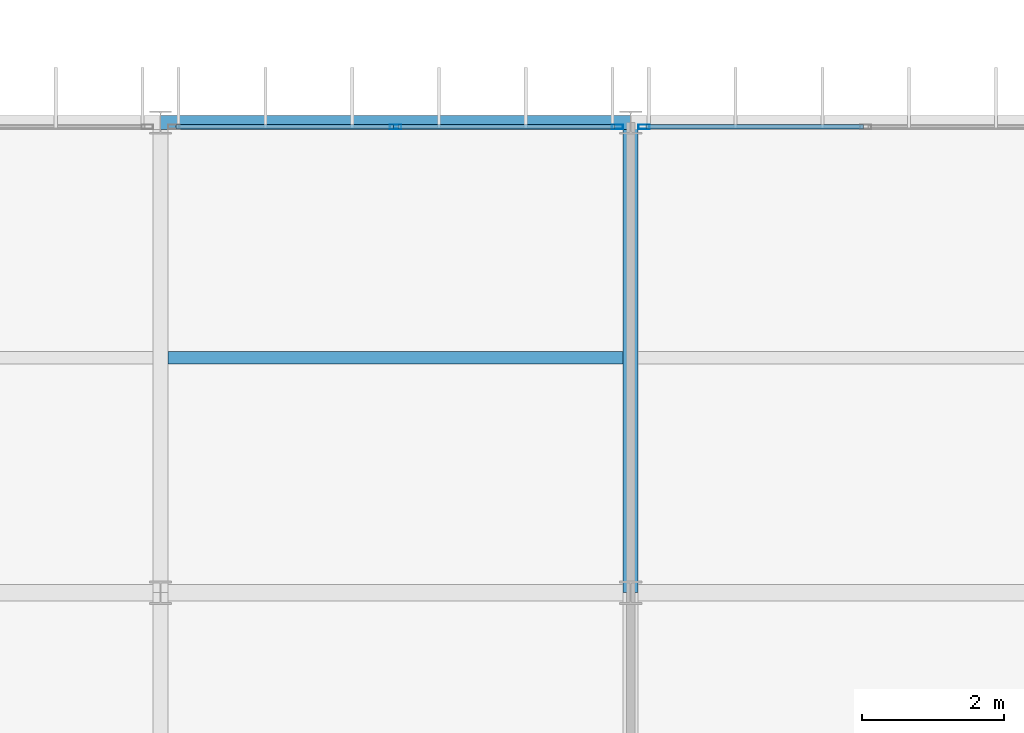
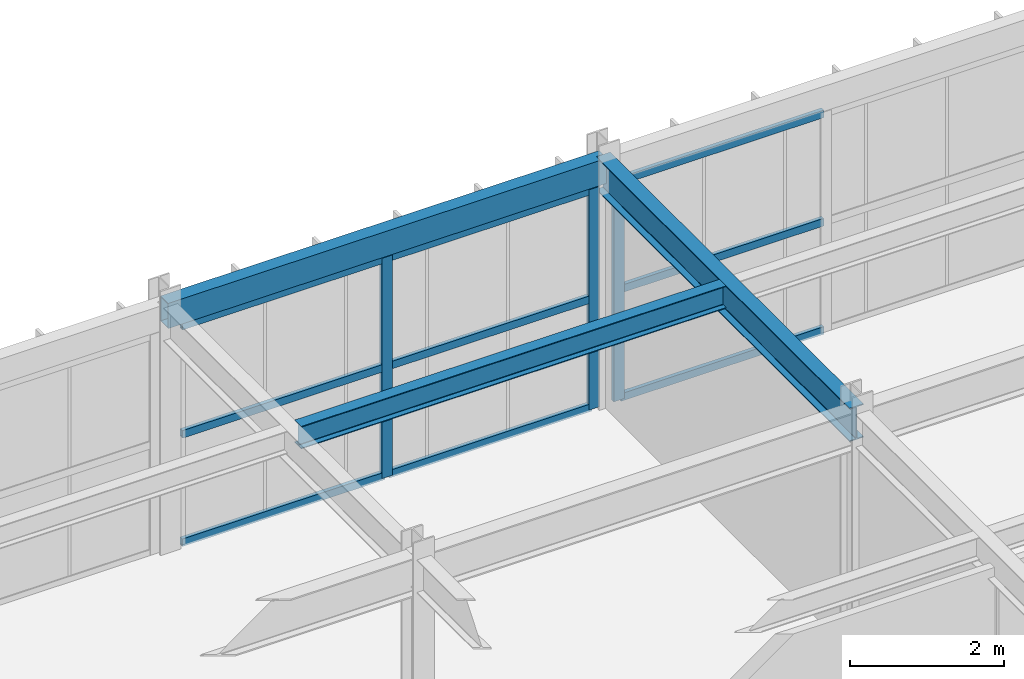
# One storey, part 53 of 130: 12 members, 3 beams, 2 elements without a shape of their own.
"""IFC4 building model written with IfcOpenShell, lengths in metres."""

from ifc_helpers import new_model, si_unit, direction, frame, origin, origin_2d, place, context, subcontext, project, spatial, hollow_rectangle, i_section, extrude, material, material_profile, profile_set, type_object, element, aggregate, save


model = new_model("IFC4")

# Units and contexts
model_context = context("Model", 3, precision=1e-05, world=origin(), true_north=direction((0.0, 1.0)))
body_context = subcontext(model_context, "Body", "Model", "MODEL_VIEW")
ifc_project = project(units=[si_unit("LENGTHUNIT", "METRE"), si_unit("AREAUNIT", "SQUARE_METRE"), si_unit("VOLUMEUNIT", "CUBIC_METRE"), si_unit("PLANEANGLEUNIT", "RADIAN"), si_unit("MASSUNIT", "GRAM", prefix="KILO")], contexts=[model_context])

# Site, building, storey
site_placement = place(None, origin())
site = spatial("IfcSite", under=ifc_project, at=site_placement, CompositionType="ELEMENT")
building_placement = place(site_placement, origin())
building = spatial("IfcBuilding", under=site, at=building_placement, Name="Karori Crest Natural Sciences Institute", CompositionType="ELEMENT")
storey_placement = place(building_placement, frame((0.0, 0.0, 17.5)))
storey = spatial("IfcBuildingStorey", under=building, at=storey_placement, Name="L04", CompositionType="ELEMENT", Elevation=17.5)

# Beams
ifc_material_1 = material(Name="Structural steel AS/NZS 3679.1 Grade 350", Category="steel")
ifc_material_profile_1 = material_profile(ifc_material_1, i_section(OverallWidth=0.208984375, OverallDepth=0.532958984375, WebThickness=0.01025390625, FlangeThickness=0.015625, FilletRadius=0.013916015625, at=origin_2d()), Name="530UB92.4")
ifc_profile_set_1 = profile_set([ifc_material_profile_1], Name="Structural steel AS/NZS 3679.1 Grade 350")
beam_type_1 = type_object("IfcBeamType", Name="BT-05", PredefinedType="BEAM", material=ifc_profile_set_1)
beam_1_placement = place(storey_placement, frame((123.39990234375, 14.0, 3.653564453125), z_axis=(0.0, 1.0, 0.0), x_axis=(-1.0, 0.0, 0.0)))
element("IfcBeam", 1, at=beam_1_placement, inside=storey, type_object=beam_type_1, Name="Beam B-2412", PredefinedType="BEAM", context=body_context, shape_type="SweptSolid", body=[
    extrude(i_section(OverallWidth=0.208984375, OverallDepth=0.532958984375, WebThickness=0.01025390625, FlangeThickness=0.015625, FilletRadius=0.013916015625, at=origin_2d()), origin(), (0.0, 0.0, 1.0), 6.60009765625),
])
ifc_material_profile_2 = material_profile(ifc_material_1, i_section(OverallWidth=0.172119140625, OverallDepth=0.35888671875, WebThickness=0.008056640625, FlangeThickness=0.012939453125, FilletRadius=0.010986328125, at=origin_2d()), Name="360UB56.7")
ifc_profile_set_2 = profile_set([ifc_material_profile_2], Name="Structural steel AS/NZS 3679.1 Grade 350")
beam_type_2 = type_object("IfcBeamType", Name="BT-08", PredefinedType="BEAM", material=ifc_profile_set_2)
beam_2_placement = place(storey_placement, frame((116.904541015625, 17.300048828125, 3.740478515625), z_axis=(1.0, 0.0, 0.0), x_axis=(0.0, 1.0, 0.0)))
element("IfcBeam", 2, at=beam_2_placement, inside=storey, type_object=beam_type_2, Name="Beam B-2437", PredefinedType="BEAM", context=body_context, shape_type="SweptSolid", body=[
    extrude(i_section(OverallWidth=0.172119140625, OverallDepth=0.35888671875, WebThickness=0.008056640625, FlangeThickness=0.012939453125, FilletRadius=0.010986328125, at=origin_2d()), origin(), (0.0, 0.0, 1.0), 6.390869140625),
])
ifc_material_2 = material(Name="Hollow structural steel AS/NZS 1163 Grade C350", Category="steel")
ifc_material_profile_3 = material_profile(ifc_material_2, hollow_rectangle(XDim=0.199951171875, YDim=0.39990234375, WallThickness=0.012451171875, at=origin_2d()), Name="RHS400x200x12.5")
ifc_profile_set_3 = profile_set([ifc_material_profile_3], Name="Hollow structural steel AS/NZS 1163 Grade C350")
beam_type_3 = type_object("IfcBeamType", Name="BT-14", PredefinedType="SPANDREL", material=ifc_profile_set_3)
beam_3_placement = place(storey_placement, frame((116.800048828125, 20.60009765625, 3.719970703125), z_axis=(1.0, 0.0, 0.0), x_axis=(0.0, 1.0, 0.0)))
element("IfcBeam", 3, at=beam_3_placement, inside=storey, type_object=beam_type_3, Name="Beam B-2394", PredefinedType="SPANDREL", context=body_context, shape_type="SweptSolid", body=[
    extrude(hollow_rectangle(XDim=0.199951171875, YDim=0.39990234375, WallThickness=0.012451171875, at=origin_2d()), origin(), (0.0, 0.0, 1.0), 6.599853515625),
])

# Curtain wall, members
ifc_material_3 = material(Name="Anodised architectural aluminium 6063-T6", Category="aluminium")
curtain_wall_type = type_object("IfcCurtainWallType", Name="CWT-20", PredefinedType="NOTDEFINED", material=ifc_material_3)
curtain_wall_1_placement = place(storey_placement, origin())
curtain_wall_1 = element("IfcCurtainWall", 4, at=curtain_wall_1_placement, inside=storey, type_object=curtain_wall_type, Name="Curtain wall CW-0333", PredefinedType="NOTDEFINED")
ifc_material_profile_4 = material_profile(ifc_material_3, hollow_rectangle(XDim=0.06494140625, YDim=0.159912109375, WallThickness=0.00390625, at=origin_2d()), Name="CWM160x65x4")
ifc_profile_set_4 = profile_set([ifc_material_profile_4], Name="Anodised architectural aluminium 6063-T6")
member_type_1 = type_object("IfcMemberType", Name="CWM-01", PredefinedType="MULLION", material=ifc_profile_set_4)
member_1_placement = place(storey_placement, frame((120.10009765625, 20.5400390625, 0.0), z_axis=(0.0, 0.0, 1.0), x_axis=(0.0, 1.0, 0.0)))
member_1 = element("IfcMember", 5, at=member_1_placement, type_object=member_type_1, Name="CW-0333 mullion 2", PredefinedType="MULLION", context=body_context, shape_type="SweptSolid", body=[
    extrude(hollow_rectangle(XDim=0.06494140625, YDim=0.159912109375, WallThickness=0.00390625, at=origin_2d()), origin(), (0.0, 0.0, 1.0), 3.5048828125),
])
member_2_placement = place(storey_placement, frame((123.214111328125, 20.5400390625, 0.0), z_axis=(0.0, 0.0, 1.0), x_axis=(0.0, 1.0, 0.0)))
member_2 = element("IfcMember", 6, at=member_2_placement, type_object=member_type_1, Name="CW-0333 mullion 3", PredefinedType="MULLION", context=body_context, shape_type="SweptSolid", body=[
    extrude(hollow_rectangle(XDim=0.06494140625, YDim=0.159912109375, WallThickness=0.00390625, at=origin_2d()), origin(), (0.0, 0.0, 1.0), 3.5048828125),
])

# Curtain wall, member
curtain_wall_2_placement = place(storey_placement, origin())
curtain_wall_2 = element("IfcCurtainWall", 7, at=curtain_wall_2_placement, inside=storey, type_object=curtain_wall_type, Name="Curtain wall CW-0334", PredefinedType="NOTDEFINED")
member_3_placement = place(storey_placement, frame((123.5859375, 20.5400390625, 0.0), z_axis=(0.0, 0.0, 1.0), x_axis=(0.0, 1.0, 0.0)))
member_3 = element("IfcMember", 8, at=member_3_placement, type_object=member_type_1, Name="CW-0334 mullion 1", PredefinedType="MULLION", context=body_context, shape_type="SweptSolid", body=[
    extrude(hollow_rectangle(XDim=0.06494140625, YDim=0.159912109375, WallThickness=0.00390625, at=origin_2d()), origin(), (0.0, 0.0, 1.0), 3.5048828125),
])

# Member
ifc_material_profile_5 = material_profile(ifc_material_3, hollow_rectangle(XDim=0.06005859375, YDim=0.1201171875, WallThickness=0.00390625, at=origin_2d()), Name="CWT120x60x4")
ifc_profile_set_5 = profile_set([ifc_material_profile_5], Name="Anodised architectural aluminium 6063-T6")
member_type_2 = type_object("IfcMemberType", Name="CWT-TR1", PredefinedType="USERDEFINED", material=ifc_profile_set_5)
member_4_placement = place(storey_placement, frame((117.0185546875, 20.5400390625, 0.030029296875), z_axis=(1.0, 0.0, 0.0), x_axis=(0.0, 1.0, 0.0)))
member_4 = element("IfcMember", 9, at=member_4_placement, type_object=member_type_2, Name="CW-0333 transom 1.1", ObjectType="TRANSOM", PredefinedType="USERDEFINED", context=body_context, shape_type="SweptSolid", body=[
    extrude(hollow_rectangle(XDim=0.06005859375, YDim=0.1201171875, WallThickness=0.00390625, at=origin_2d()), origin(), (0.0, 0.0, 1.0), 3.048828125),
])

member_5_placement = place(storey_placement, frame((117.0185546875, 20.5400390625, 1.75244140625), z_axis=(1.0, 0.0, 0.0), x_axis=(0.0, 1.0, 0.0)))
member_5 = element("IfcMember", 10, at=member_5_placement, type_object=member_type_2, Name="CW-0333 transom 1.2", ObjectType="TRANSOM", PredefinedType="USERDEFINED", context=body_context, shape_type="SweptSolid", body=[
    extrude(hollow_rectangle(XDim=0.06005859375, YDim=0.1201171875, WallThickness=0.00390625, at=origin_2d()), origin(), (0.0, 0.0, 1.0), 3.048828125),
])

member_6_placement = place(storey_placement, frame((117.0185546875, 20.5400390625, 3.47509765625), z_axis=(1.0, 0.0, 0.0), x_axis=(0.0, 1.0, 0.0)))
member_6 = element("IfcMember", 11, at=member_6_placement, type_object=member_type_2, Name="CW-0333 transom 1.3", ObjectType="TRANSOM", PredefinedType="USERDEFINED", context=body_context, shape_type="SweptSolid", body=[
    extrude(hollow_rectangle(XDim=0.06005859375, YDim=0.1201171875, WallThickness=0.00390625, at=origin_2d()), origin(), (0.0, 0.0, 1.0), 3.048828125),
])

member_7_placement = place(storey_placement, frame((120.132568359375, 20.5400390625, 0.030029296875), z_axis=(1.0, 0.0, 0.0), x_axis=(0.0, 1.0, 0.0)))
member_7 = element("IfcMember", 12, at=member_7_placement, type_object=member_type_2, Name="CW-0333 transom 2.1", ObjectType="TRANSOM", PredefinedType="USERDEFINED", context=body_context, shape_type="SweptSolid", body=[
    extrude(hollow_rectangle(XDim=0.06005859375, YDim=0.1201171875, WallThickness=0.00390625, at=origin_2d()), origin(), (0.0, 0.0, 1.0), 3.048828125),
])

member_8_placement = place(storey_placement, frame((120.132568359375, 20.5400390625, 1.75244140625), z_axis=(1.0, 0.0, 0.0), x_axis=(0.0, 1.0, 0.0)))
member_8 = element("IfcMember", 13, at=member_8_placement, type_object=member_type_2, Name="CW-0333 transom 2.2", ObjectType="TRANSOM", PredefinedType="USERDEFINED", context=body_context, shape_type="SweptSolid", body=[
    extrude(hollow_rectangle(XDim=0.06005859375, YDim=0.1201171875, WallThickness=0.00390625, at=origin_2d()), origin(), (0.0, 0.0, 1.0), 3.048828125),
])

member_9_placement = place(storey_placement, frame((120.132568359375, 20.5400390625, 3.47509765625), z_axis=(1.0, 0.0, 0.0), x_axis=(0.0, 1.0, 0.0)))
member_9 = element("IfcMember", 14, at=member_9_placement, type_object=member_type_2, Name="CW-0333 transom 2.3", ObjectType="TRANSOM", PredefinedType="USERDEFINED", context=body_context, shape_type="SweptSolid", body=[
    extrude(hollow_rectangle(XDim=0.06005859375, YDim=0.1201171875, WallThickness=0.00390625, at=origin_2d()), origin(), (0.0, 0.0, 1.0), 3.048828125),
])

aggregate(curtain_wall_1, [member_1, member_2, member_4, member_5, member_6, member_7, member_8, member_9])

member_10_placement = place(storey_placement, frame((123.618408203125, 20.5400390625, 0.030029296875), z_axis=(1.0, 0.0, 0.0), x_axis=(0.0, 1.0, 0.0)))
member_10 = element("IfcMember", 15, at=member_10_placement, type_object=member_type_2, Name="CW-0334 transom 1.1", ObjectType="TRANSOM", PredefinedType="USERDEFINED", context=body_context, shape_type="SweptSolid", body=[
    extrude(hollow_rectangle(XDim=0.06005859375, YDim=0.1201171875, WallThickness=0.00390625, at=origin_2d()), origin(), (0.0, 0.0, 1.0), 3.049072265625),
])

member_11_placement = place(storey_placement, frame((123.618408203125, 20.5400390625, 1.75244140625), z_axis=(1.0, 0.0, 0.0), x_axis=(0.0, 1.0, 0.0)))
member_11 = element("IfcMember", 16, at=member_11_placement, type_object=member_type_2, Name="CW-0334 transom 1.2", ObjectType="TRANSOM", PredefinedType="USERDEFINED", context=body_context, shape_type="SweptSolid", body=[
    extrude(hollow_rectangle(XDim=0.06005859375, YDim=0.1201171875, WallThickness=0.00390625, at=origin_2d()), origin(), (0.0, 0.0, 1.0), 3.049072265625),
])

member_12_placement = place(storey_placement, frame((123.618408203125, 20.5400390625, 3.47509765625), z_axis=(1.0, 0.0, 0.0), x_axis=(0.0, 1.0, 0.0)))
member_12 = element("IfcMember", 17, at=member_12_placement, type_object=member_type_2, Name="CW-0334 transom 1.3", ObjectType="TRANSOM", PredefinedType="USERDEFINED", context=body_context, shape_type="SweptSolid", body=[
    extrude(hollow_rectangle(XDim=0.06005859375, YDim=0.1201171875, WallThickness=0.00390625, at=origin_2d()), origin(), (0.0, 0.0, 1.0), 3.049072265625),
])

aggregate(curtain_wall_2, [member_3, member_10, member_11, member_12])

save(model, "model.ifc")
